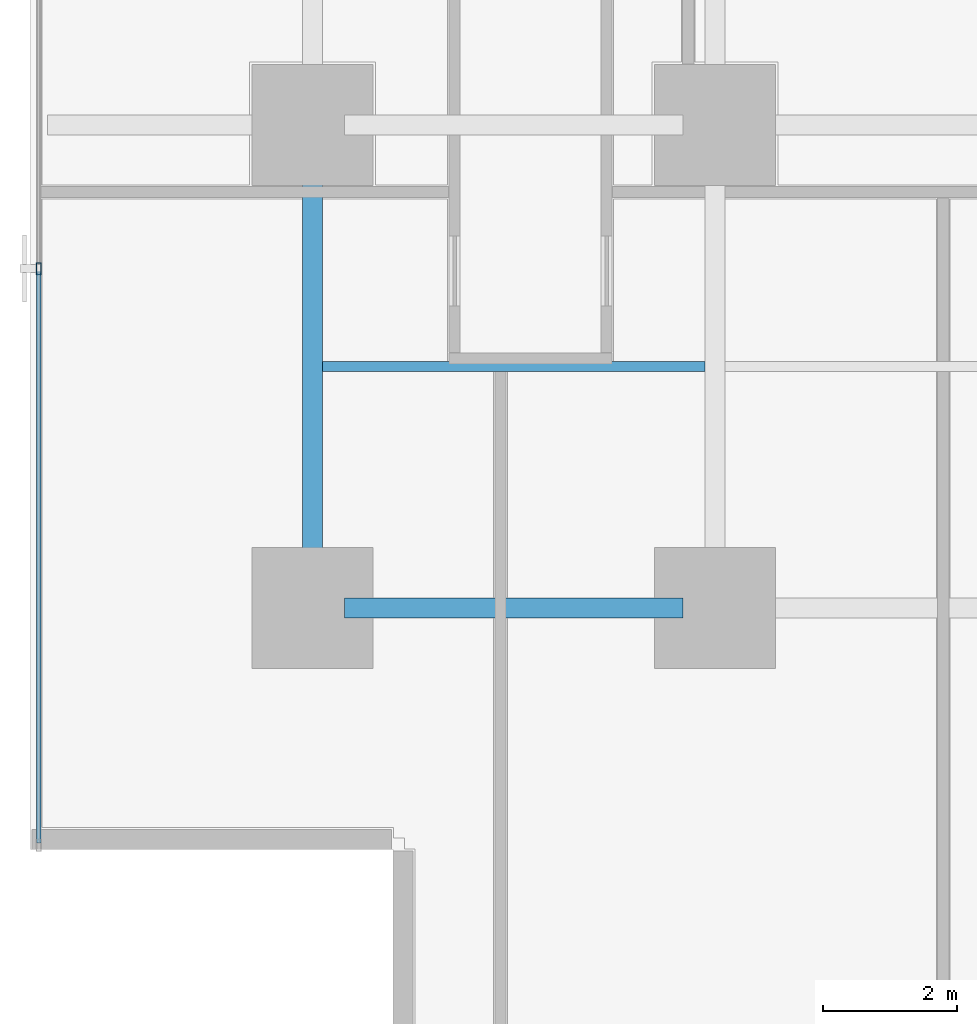
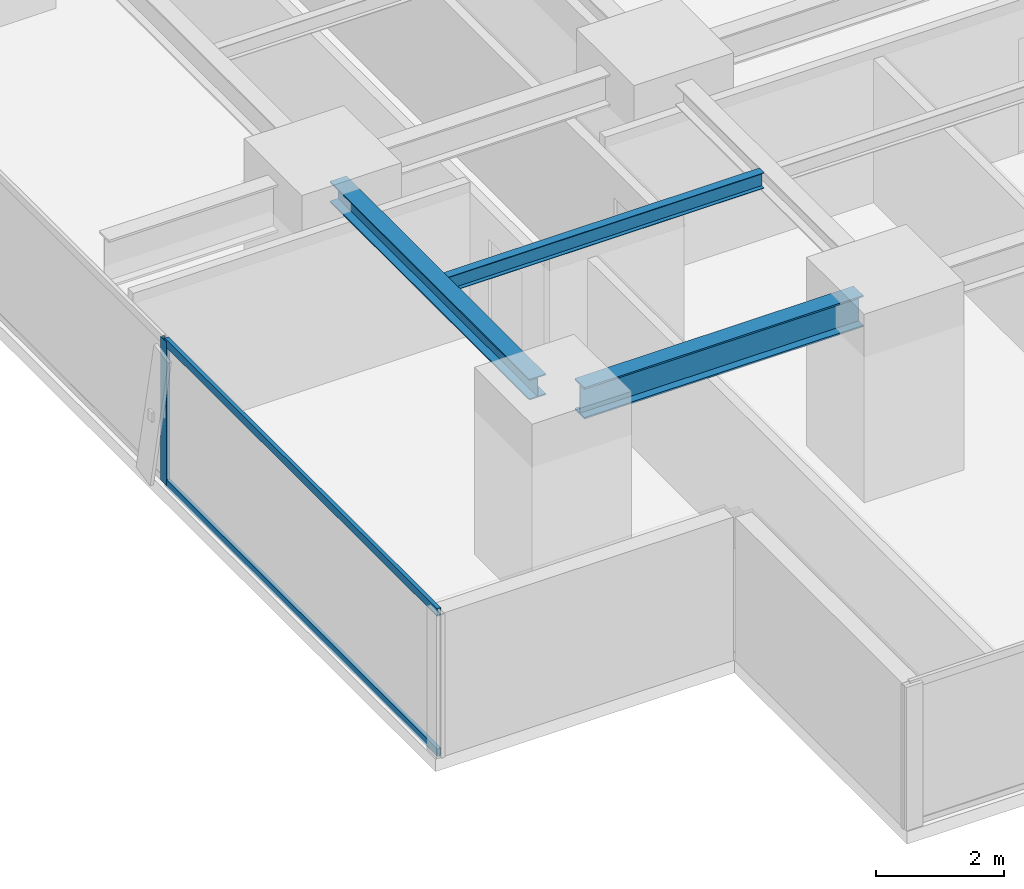
# One storey, part 3 of 34: 3 beams, 3 members, 1 element without a shape of its own.
"""IFC4 building model written with IfcOpenShell, lengths in metres."""

from ifc_helpers import new_model, si_unit, direction, frame, origin, origin_2d, place, context, subcontext, project, spatial, hollow_rectangle, i_section, extrude, source, transform, mapped, material, layer, layer_set, material_profile, profile_set, type_object, element, aggregate, save


model = new_model("IFC4")

# Units and contexts
model_context = context("Model", 3, precision=1e-05, world=origin(), true_north=direction((0.0, 1.0)))
body_context = subcontext(model_context, "Body", "Model", "MODEL_VIEW")
ifc_project = project(units=[si_unit("LENGTHUNIT", "METRE"), si_unit("AREAUNIT", "SQUARE_METRE"), si_unit("VOLUMEUNIT", "CUBIC_METRE"), si_unit("PLANEANGLEUNIT", "RADIAN"), si_unit("MASSUNIT", "GRAM", prefix="KILO")], contexts=[model_context])

# Site, building, storey
site_placement = place(None, origin())
site = spatial("IfcSite", under=ifc_project, at=site_placement, CompositionType="ELEMENT")
building_placement = place(site_placement, origin())
building = spatial("IfcBuilding", under=site, at=building_placement, Name="Sumidabori Civic Tower", CompositionType="ELEMENT")
storey_placement = place(building_placement, frame((0.0, 0.0, 56.0)))
storey = spatial("IfcBuildingStorey", under=building, at=storey_placement, Name="L14", CompositionType="ELEMENT", Elevation=56.0)

# Beams
ifc_material_1 = material(Name="Steel SN490", Category="steel")
ifc_material_profile_1 = material_profile(ifc_material_1, i_section(OverallWidth=0.300048828125, OverallDepth=0.60009765625, WebThickness=0.015380859375, FlangeThickness=0.030029296875, at=origin_2d()), Name="HE 600 B")
ifc_profile_set_1 = profile_set([ifc_material_profile_1], Name="Steel SN490")
beam_type_1 = type_object("IfcBeamType", Name="BM-GIRD-600", PredefinedType="BEAM", material=ifc_profile_set_1)
shared_shape_1 = source(origin(), body_context, "Body", "SweptSolid", [
    extrude(i_section(OverallWidth=0.300048828125, OverallDepth=0.60009765625, WebThickness=0.015380859375, FlangeThickness=0.030029296875, at=origin_2d()), origin(), (0.0, 0.0, 1.0), 5.0400390625),
])
beam_1_placement = place(storey_placement, frame((-22.320068359375, -18.0, 3.06005859375), z_axis=(1.0, 0.0, 0.0), x_axis=(0.0, 1.0, 0.0)))
element("IfcBeam", 1, at=beam_1_placement, inside=storey, type_object=beam_type_1, Name="Primary Girder L14 GX-01", PredefinedType="BEAM", context=body_context, shape_type="MappedRepresentation", body=[
    mapped(shared_shape_1, transform((0.0, 0.0, 0.0), x_axis=(1.0, 0.0, 0.0), y_axis=(0.0, 1.0, 0.0), z_axis=(0.0, 0.0, 1.0), scale=1.0)),
])
ifc_material_profile_2 = material_profile(ifc_material_1, i_section(OverallWidth=0.300048828125, OverallDepth=0.39990234375, WebThickness=0.013427734375, FlangeThickness=0.02392578125, at=origin_2d()), Name="HE 400 B")
ifc_profile_set_2 = profile_set([ifc_material_profile_2], Name="Steel SN490")
beam_type_2 = type_object("IfcBeamType", Name="BM-GIRD-400", PredefinedType="BEAM", material=ifc_profile_set_2)
shared_shape_2 = source(origin(), body_context, "Body", "SweptSolid", [
    extrude(i_section(OverallWidth=0.300048828125, OverallDepth=0.39990234375, WebThickness=0.013427734375, FlangeThickness=0.02392578125, at=origin_2d()), origin(), (0.0, 0.0, 1.0), 6.239990234375),
])
beam_2_placement = place(storey_placement, frame((-22.800048828125, -17.52001953125, 3.159912109375), z_axis=(0.0, 1.0, 0.0), x_axis=(-1.0, 0.0, 0.0)))
element("IfcBeam", 2, at=beam_2_placement, inside=storey, type_object=beam_type_2, Name="Primary Girder L14 GY-21", PredefinedType="BEAM", context=body_context, shape_type="MappedRepresentation", body=[
    mapped(shared_shape_2, transform((0.0, 0.0, 0.0), x_axis=(1.0, 0.0, 0.0), y_axis=(0.0, 1.0, 0.0), z_axis=(0.0, 0.0, 1.0), scale=1.0)),
])
ifc_material_profile_3 = material_profile(ifc_material_1, i_section(OverallWidth=0.14990234375, OverallDepth=0.300048828125, WebThickness=0.007080078125, FlangeThickness=0.0107421875, at=origin_2d()), Name="IPE 300")
ifc_profile_set_3 = profile_set([ifc_material_profile_3], Name="Steel SN490")
beam_type_3 = type_object("IfcBeamType", Name="BM-JST-300", PredefinedType="JOIST", material=ifc_profile_set_3)
shared_shape_3 = source(origin(), body_context, "Body", "SweptSolid", [
    extrude(i_section(OverallWidth=0.14990234375, OverallDepth=0.300048828125, WebThickness=0.007080078125, FlangeThickness=0.0107421875, at=origin_2d()), origin(), (0.0, 0.0, 1.0), 5.699951171875),
])
beam_3_placement = place(storey_placement, frame((-22.64990234375, -14.39990234375, 3.2099609375), z_axis=(1.0, 0.0, 0.0), x_axis=(0.0, 1.0, 0.0)))
element("IfcBeam", 3, at=beam_3_placement, inside=storey, type_object=beam_type_3, Name="Outer Bay Floor Joist L14 JSTO-57", PredefinedType="JOIST", context=body_context, shape_type="MappedRepresentation", body=[
    mapped(shared_shape_3, transform((0.0, 0.0, 0.0), x_axis=(1.0, 0.0, 0.0), y_axis=(0.0, 1.0, 0.0), z_axis=(0.0, 0.0, 1.0), scale=1.0)),
])

# Curtain wall, members
ifc_material_2 = material(Name="Anodised Bronze Aluminium AW-6063-T6", Category="aluminium")
ifc_layer = layer(ifc_material_2, 0.179931640625, Name="Anodised Bronze Aluminium AW-6063-T6")
ifc_layer_set = layer_set([ifc_layer], Name="Anodised Bronze Aluminium AW-6063-T6")
curtain_wall_type = type_object("IfcCurtainWallType", Name="CW-SYS-2", PredefinedType="NOTDEFINED", material=ifc_layer_set)
curtain_wall_placement = place(storey_placement, origin())
curtain_wall = element("IfcCurtainWall", 4, at=curtain_wall_placement, inside=storey, type_object=curtain_wall_type, Name="Curtain Wall CW:L14:R10", PredefinedType="NOTDEFINED")
ifc_material_profile_4 = material_profile(ifc_material_2, hollow_rectangle(XDim=0.070068359375, YDim=0.179931640625, WallThickness=0.006103515625, at=origin_2d()), Name="ALU MULLION 180x70")
ifc_profile_set_4 = profile_set([ifc_material_profile_4], Name="Anodised Bronze Aluminium AW-6063-T6")
member_type_1 = type_object("IfcMemberType", Name="CW-MUL-180", PredefinedType="MULLION", material=ifc_profile_set_4)
shared_shape_4 = source(origin(), body_context, "Body", "SweptSolid", [
    extrude(hollow_rectangle(XDim=0.070068359375, YDim=0.179931640625, WallThickness=0.006103515625, at=origin_2d()), origin(), (0.0, 0.0, 1.0), 2.739990234375),
])
member_1_placement = place(storey_placement, frame((-26.8798828125, -12.94189453125, 0.0), z_axis=(0.0, 0.0, 1.0), x_axis=(1.0, 0.0, 0.0)))
member_1 = element("IfcMember", 5, at=member_1_placement, type_object=member_type_1, Name="CW-2 mullion 5", PredefinedType="MULLION", context=body_context, shape_type="MappedRepresentation", body=[
    mapped(shared_shape_4, transform((0.0, 0.0, 0.0), x_axis=(1.0, 0.0, 0.0), y_axis=(0.0, 1.0, 0.0), z_axis=(0.0, 0.0, 1.0), scale=1.0)),
])
ifc_material_profile_5 = material_profile(ifc_material_2, hollow_rectangle(XDim=0.06494140625, YDim=0.14990234375, WallThickness=0.0048828125, at=origin_2d()), Name="ALU TRANSOM 150x65")
ifc_profile_set_5 = profile_set([ifc_material_profile_5], Name="Anodised Bronze Aluminium AW-6063-T6")
member_type_2 = type_object("IfcMemberType", Name="CW-TRN-150", PredefinedType="USERDEFINED", material=ifc_profile_set_5)
shared_shape_5 = source(origin(), body_context, "Body", "SweptSolid", [
    extrude(hollow_rectangle(XDim=0.06494140625, YDim=0.14990234375, WallThickness=0.0048828125, at=origin_2d()), origin(), (0.0, 0.0, 1.0), 8.52294921875),
])
member_2_placement = place(storey_placement, frame((-26.8798828125, -12.97705078125, 0.032470703125), z_axis=(0.0, -1.0, 0.0), x_axis=(1.0, 0.0, 0.0)))
member_2 = element("IfcMember", 6, at=member_2_placement, type_object=member_type_2, Name="CW-2 transom 5.1", ObjectType="TRANSOM", PredefinedType="USERDEFINED", context=body_context, shape_type="MappedRepresentation", body=[
    mapped(shared_shape_5, transform((0.0, 0.0, 0.0), x_axis=(1.0, 0.0, 0.0), y_axis=(0.0, 1.0, 0.0), z_axis=(0.0, 0.0, 1.0), scale=1.0)),
])
member_3_placement = place(storey_placement, frame((-26.8798828125, -12.97705078125, 2.70751953125), z_axis=(0.0, -1.0, 0.0), x_axis=(1.0, 0.0, 0.0)))
member_3 = element("IfcMember", 7, at=member_3_placement, type_object=member_type_2, Name="CW-2 transom 5.2", ObjectType="TRANSOM", PredefinedType="USERDEFINED", context=body_context, shape_type="MappedRepresentation", body=[
    mapped(shared_shape_5, transform((0.0, 0.0, 0.0), x_axis=(1.0, 0.0, 0.0), y_axis=(0.0, 1.0, 0.0), z_axis=(0.0, 0.0, 1.0), scale=1.0)),
])
aggregate(curtain_wall, [member_1, member_2, member_3])

save(model, "model.ifc")
